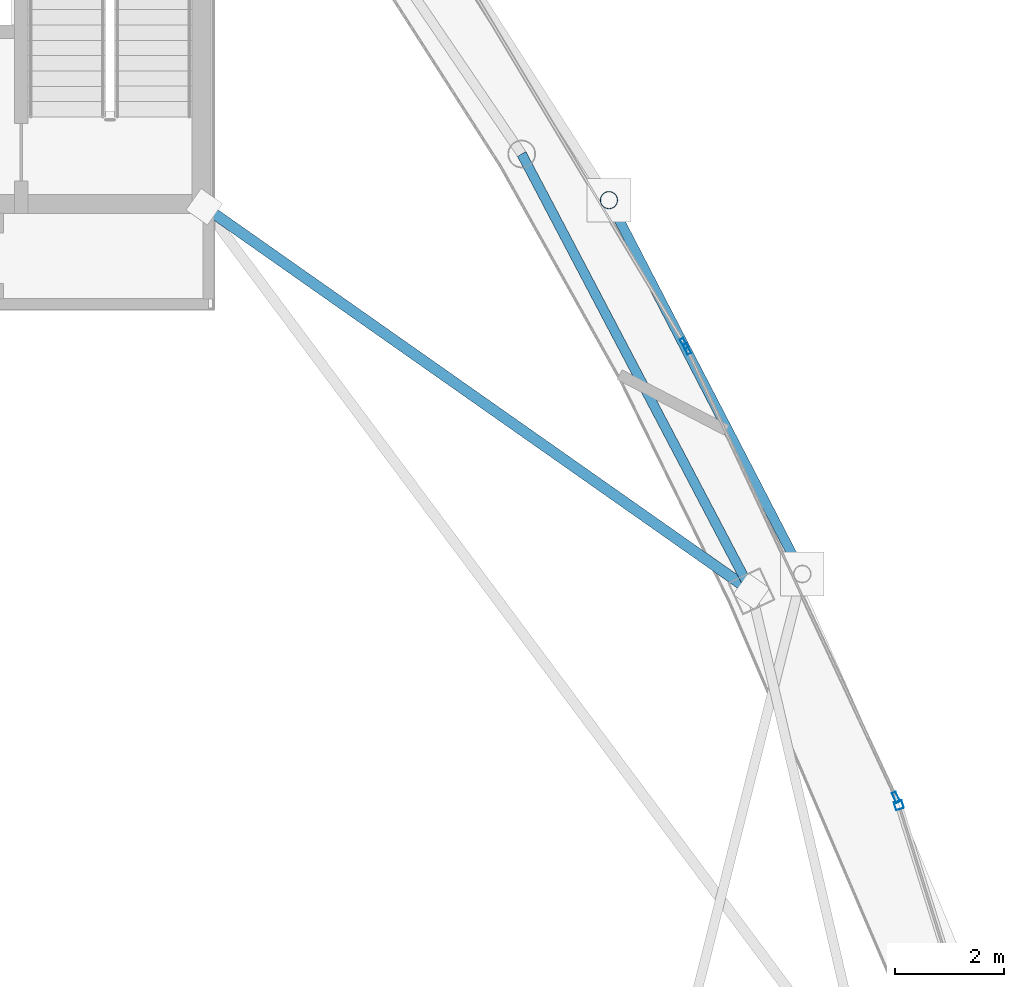
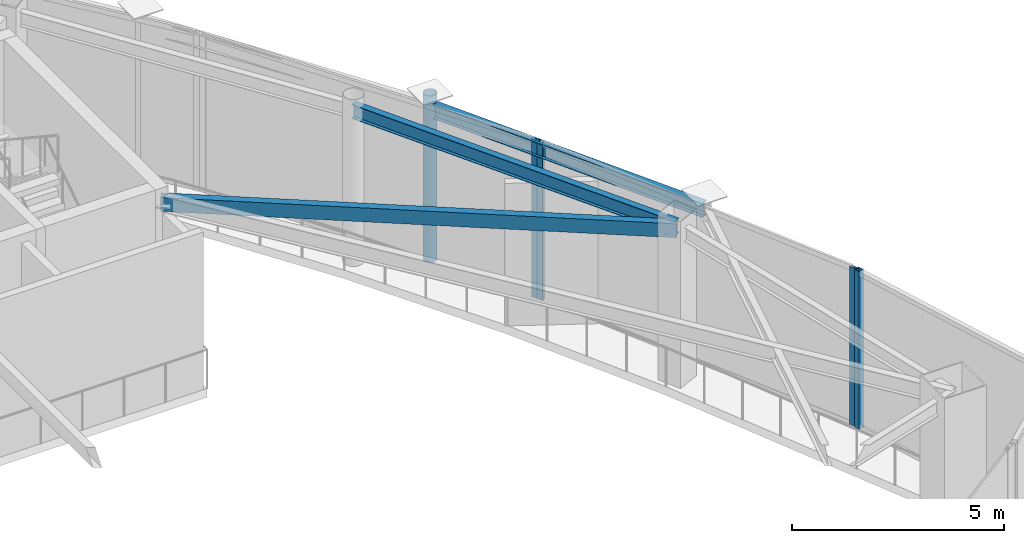
# One storey, part 13 of 20: 6 members, 2 beams, 3 elements without a shape of their own.
"""IFC4 building model written with IfcOpenShell, lengths in metres."""

from ifc_helpers import new_model, si_unit, direction, frame, origin, origin_2d, place, context, subcontext, project, spatial, hollow_rectangle, hollow_circle, i_section, extrude, material, layer, layer_set, material_profile, profile_set, type_object, element, aggregate, save


model = new_model("IFC4")

# Units and contexts
model_context = context("Model", 3, precision=1e-05, world=origin(), true_north=direction((0.0, 1.0)))
body_context = subcontext(model_context, "Body", "Model", "MODEL_VIEW")
ifc_project = project(units=[si_unit("LENGTHUNIT", "METRE"), si_unit("AREAUNIT", "SQUARE_METRE"), si_unit("VOLUMEUNIT", "CUBIC_METRE"), si_unit("PLANEANGLEUNIT", "RADIAN"), si_unit("MASSUNIT", "GRAM", prefix="KILO")], contexts=[model_context])

# Site, building, storey
site_placement = place(None, origin())
site = spatial("IfcSite", under=ifc_project, at=site_placement, CompositionType="ELEMENT")
building_placement = place(site_placement, origin())
building = spatial("IfcBuilding", under=site, at=building_placement, Name="Orvanel Arch Residences", CompositionType="ELEMENT")
storey_placement = place(building_placement, frame((0.0, 0.0, 300.5)))
storey = spatial("IfcBuildingStorey", under=building, at=storey_placement, Name="L84", CompositionType="ELEMENT", Elevation=300.5)

# Curtain wall, member
ifc_material_1 = material(Name="Bronze-anodised aluminium AA6063-T6", Category="aluminium")
ifc_layer = layer(ifc_material_1, 0.2099609375)
ifc_layer_set = layer_set([ifc_layer], Name="Bronze-anodised aluminium AA6063-T6")
curtain_wall_type = type_object("IfcCurtainWallType", Name="CW7-TOP-SYS", PredefinedType="NOTDEFINED", material=ifc_layer_set)
curtain_wall_1_placement = place(storey_placement, origin())
curtain_wall_1 = element("IfcCurtainWall", 1, at=curtain_wall_1_placement, inside=storey, type_object=curtain_wall_type, Name="L84 CW7-TOP-SYS Unitised Curtain Wall", PredefinedType="NOTDEFINED")
ifc_material_profile_1 = material_profile(ifc_material_1, hollow_rectangle(XDim=0.14990234375, YDim=0.14990234375, WallThickness=0.0048828125, at=origin_2d()), Name="ALU150x150x5")
ifc_profile_set_1 = profile_set([ifc_material_profile_1], Name="Bronze-anodised aluminium AA6063-T6")
member_type_1 = type_object("IfcMemberType", Name="MUL-150x150", PredefinedType="MULLION", material=ifc_profile_set_1)
member_1_placement = place(storey_placement, frame((52.330322265625, 15.7294921875, 0.0), z_axis=(0.0, 0.0, 1.0), x_axis=(-0.954283945864, -0.298901573542, 0.0)))
member_1 = element("IfcMember", 2, at=member_1_placement, type_object=member_type_1, Name="CW-S7 mullion 2", PredefinedType="MULLION", context=body_context, shape_type="SweptSolid", body=[
    extrude(hollow_rectangle(XDim=0.14990234375, YDim=0.14990234375, WallThickness=0.0048828125, at=origin_2d()), origin(), (0.0, 0.0, 1.0), 4.550048828125),
])
aggregate(curtain_wall_1, [member_1])

# Curtain wall, members
curtain_wall_2_placement = place(storey_placement, origin())
curtain_wall_2 = element("IfcCurtainWall", 3, at=curtain_wall_2_placement, inside=storey, type_object=curtain_wall_type, Name="L84 CW7-TOP-SYS Unitised Curtain Wall", PredefinedType="NOTDEFINED")
ifc_material_profile_2 = material_profile(ifc_material_1, hollow_rectangle(XDim=0.074951171875, YDim=0.199951171875, WallThickness=0.0048828125, at=origin_2d()), Name="ALU200x75x5")
ifc_profile_set_2 = profile_set([ifc_material_profile_2], Name="Bronze-anodised aluminium AA6063-T6")
member_type_2 = type_object("IfcMemberType", Name="MUL-200x75", PredefinedType="MULLION", material=ifc_profile_set_2)
member_2_placement = place(storey_placement, frame((52.278076171875, 15.8720703125, 0.0), z_axis=(0.0, 0.0, 1.0), x_axis=(-0.906426569511, -0.422363438385, 0.0)))
member_2 = element("IfcMember", 4, at=member_2_placement, type_object=member_type_2, Name="CW-S7 mullion 1", PredefinedType="MULLION", context=body_context, shape_type="SweptSolid", body=[
    extrude(hollow_rectangle(XDim=0.074951171875, YDim=0.199951171875, WallThickness=0.0048828125, at=origin_2d()), origin(), (0.0, 0.0, 1.0), 4.550048828125),
])
member_3_placement = place(storey_placement, frame((48.455810546875, 24.074951171875, 0.0), z_axis=(0.0, 0.0, 1.0), x_axis=(-0.906426569511, -0.422363438385, 0.0)))
member_3 = element("IfcMember", 5, at=member_3_placement, type_object=member_type_2, Name="CW-S7 mullion 2", PredefinedType="MULLION", context=body_context, shape_type="SweptSolid", body=[
    extrude(hollow_rectangle(XDim=0.074951171875, YDim=0.199951171875, WallThickness=0.0048828125, at=origin_2d()), origin(), (0.0, 0.0, 1.0), 4.550048828125),
])
aggregate(curtain_wall_2, [member_2, member_3])

# Curtain wall, member
curtain_wall_3_placement = place(storey_placement, origin())
curtain_wall_3 = element("IfcCurtainWall", 6, at=curtain_wall_3_placement, inside=storey, type_object=curtain_wall_type, Name="L84 CW7-TOP-SYS Unitised Curtain Wall", PredefinedType="NOTDEFINED")
member_4_placement = place(storey_placement, frame((48.402587890625, 24.17626953125, 0.0), z_axis=(0.0, 0.0, 1.0), x_axis=(-0.857522096821, -0.514447133788, 0.0)))
member_4 = element("IfcMember", 7, at=member_4_placement, type_object=member_type_2, Name="CW-S7 mullion 1", PredefinedType="MULLION", context=body_context, shape_type="SweptSolid", body=[
    extrude(hollow_rectangle(XDim=0.074951171875, YDim=0.199951171875, WallThickness=0.0048828125, at=origin_2d()), origin(), (0.0, 0.0, 1.0), 4.550048828125),
])
aggregate(curtain_wall_3, [member_4])

# Beams
ifc_material_2 = material(Name="Structural steel AS/NZS 3679.1 Grade 300 (300 MPa)", Category="steel")
ifc_material_profile_3 = material_profile(ifc_material_2, i_section(OverallWidth=0.177978515625, OverallDepth=0.406005859375, WebThickness=0.0078125, FlangeThickness=0.0126953125, at=origin_2d()), Name="410UB59.7")
ifc_profile_set_3 = profile_set([ifc_material_profile_3], Name="Structural steel AS/NZS 3679.1 Grade 300 (300 MPa)")
beam_type_1 = type_object("IfcBeamType", Name="OB-410UB", PredefinedType="SPANDREL", material=ifc_profile_set_3)
beam_1_placement = place(storey_placement, frame((49.633056640625, 19.64208984375, 4.346923828125), z_axis=(-0.465064762793, 0.885276660942, 0.0), x_axis=(-0.885276660942, -0.465064762793, 0.0)))
element("IfcBeam", 8, at=beam_1_placement, inside=storey, type_object=beam_type_1, Name="L84 Perimeter Spandrel Beam 07", PredefinedType="SPANDREL", context=body_context, shape_type="SweptSolid", body=[
    extrude(i_section(OverallWidth=0.177978515625, OverallDepth=0.406005859375, WebThickness=0.0078125, FlangeThickness=0.0126953125, at=origin_2d()), origin(), (0.0, 0.0, 1.0), 9.03564453125),
])
ifc_material_profile_4 = material_profile(ifc_material_2, i_section(OverallWidth=0.177978515625, OverallDepth=0.406005859375, WebThickness=0.0078125, FlangeThickness=0.0126953125, at=origin_2d()), Name="410UB59.7")
ifc_profile_set_4 = profile_set([ifc_material_profile_4], Name="Structural steel AS/NZS 3679.1 Grade 300 (300 MPa)")
beam_type_2 = type_object("IfcBeamType", Name="OB-410UB-EXT", PredefinedType="SPANDREL", material=ifc_profile_set_4)
beam_2_placement = place(storey_placement, frame((50.56396484375, 19.9580078125, 4.346923828125), z_axis=(-0.459425507077, 0.888216304425, 0.0), x_axis=(-0.888216304425, -0.459425507077, 0.0)))
element("IfcBeam", 9, at=beam_2_placement, inside=storey, type_object=beam_type_2, Name="L84 Outer Perimeter Floor Ring Beam 09", PredefinedType="SPANDREL", context=body_context, shape_type="SweptSolid", body=[
    extrude(i_section(OverallWidth=0.177978515625, OverallDepth=0.406005859375, WebThickness=0.0078125, FlangeThickness=0.0126953125, at=origin_2d()), origin(), (0.0, 0.0, 1.0), 7.698486328125),
])

# Members
ifc_material_3 = material(Name="Structural steel AS/NZS 1163 C350L0 (Grade 350)", Category="steel")
ifc_material_profile_5 = material_profile(ifc_material_3, hollow_rectangle(XDim=0.199951171875, YDim=0.39990234375, WallThickness=0.012451171875, at=origin_2d()), Name="RHS400x200x12.5")
ifc_profile_set_5 = profile_set([ifc_material_profile_5], Name="Structural steel AS/NZS 1163 C350L0 (Grade 350)")
member_type_3 = type_object("IfcMemberType", Name="RF-400RHS", PredefinedType="RAFTER", material=ifc_profile_set_5)
member_5_placement = place(storey_placement, frame((39.625, 26.675048828125, 4.300048828125), z_axis=(0.818181292645, -0.574960322427, 0.0), x_axis=(0.574960322427, 0.818181292645, 0.0)))
element("IfcMember", 10, at=member_5_placement, inside=storey, type_object=member_type_3, Name="L84 Winter-Garden Conservatory Gallery Rafter 02", PredefinedType="RAFTER", context=body_context, shape_type="SweptSolid", body=[
    extrude(hollow_rectangle(XDim=0.199951171875, YDim=0.39990234375, WallThickness=0.012451171875, at=origin_2d()), origin(), (0.0, 0.0, 1.0), 12.232177734375),
])
ifc_material_profile_6 = material_profile(ifc_material_3, hollow_circle(Radius=0.162109375, WallThickness=0.0126953125, at=origin_2d()), Name="CHS324x12.7")
ifc_profile_set_6 = profile_set([ifc_material_profile_6], Name="Structural steel AS/NZS 1163 C350L0 (Grade 350)")
member_type_4 = type_object("IfcMemberType", Name="ST-324CHS-EXT", PredefinedType="STRUT", material=ifc_profile_set_6)
member_6_placement = place(storey_placement, frame((47.027099609375, 26.7958984375, 0.0), z_axis=(0.0, 0.0, 1.0), x_axis=(1.0, 0.0, 0.0)))
element("IfcMember", 11, at=member_6_placement, inside=storey, type_object=member_type_4, Name="L84 Outer Perimeter Frame Post 10", PredefinedType="STRUT", context=body_context, shape_type="SweptSolid", body=[
    extrude(hollow_circle(Radius=0.162109375, WallThickness=0.0126953125, at=origin_2d()), origin(), (0.0, 0.0, 1.0), 4.800048828125),
])

save(model, "model.ifc")
